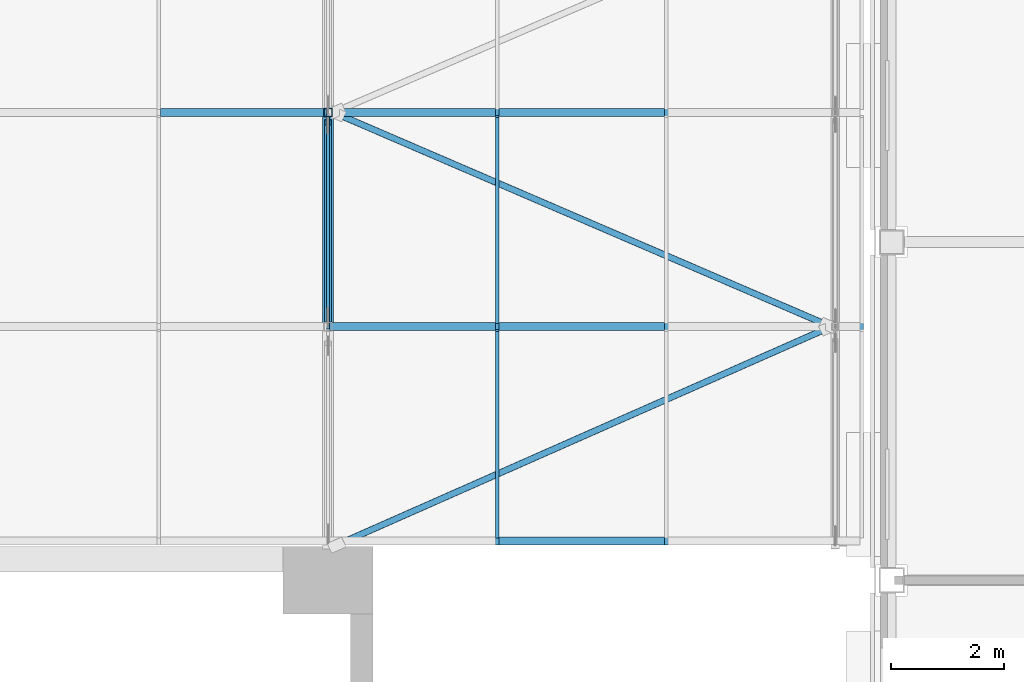
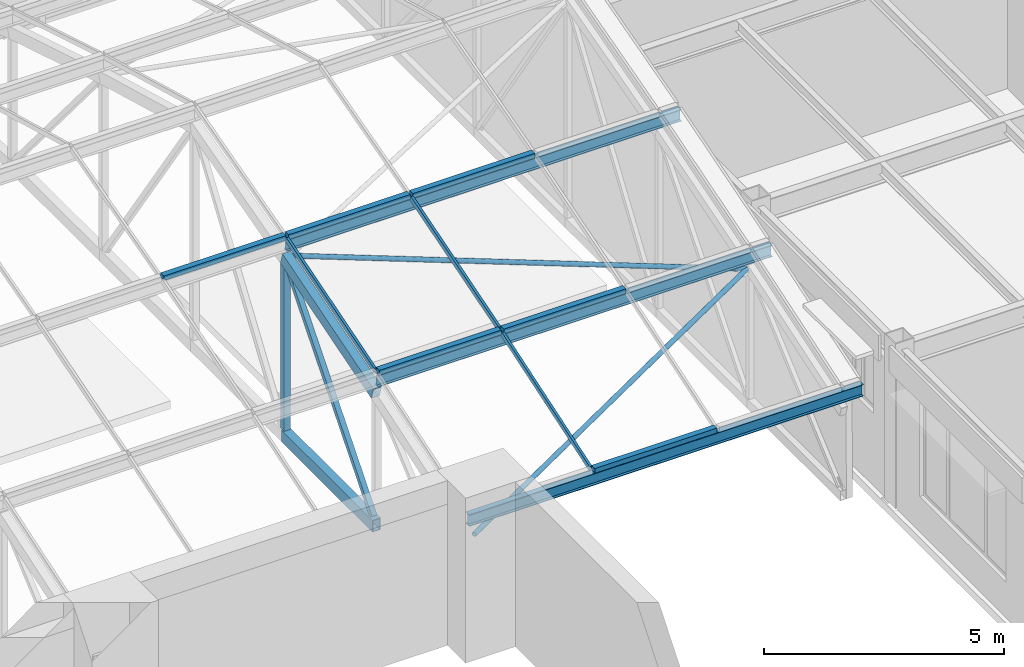
# One storey, part 34 of 82: 18 members, 1 element without a shape of its own.
"""IFC4 building model written with IfcOpenShell, lengths in metres."""

from ifc_helpers import new_model, si_unit, direction, frame, origin, origin_2d, place, context, subcontext, project, spatial, rectangle, hollow_rectangle, hollow_circle, i_section, extrude, material, material_profile, profile_set, type_object, element, aggregate, save


model = new_model("IFC4")

# Units and contexts
model_context = context("Model", 3, precision=1e-05, world=origin(), true_north=direction((0.0, 1.0)))
body_context = subcontext(model_context, "Body", "Model", "MODEL_VIEW")
ifc_project = project(units=[si_unit("LENGTHUNIT", "METRE"), si_unit("AREAUNIT", "SQUARE_METRE"), si_unit("VOLUMEUNIT", "CUBIC_METRE"), si_unit("PLANEANGLEUNIT", "RADIAN"), si_unit("MASSUNIT", "GRAM", prefix="KILO")], contexts=[model_context])

# Site, building, storey
site_placement = place(None, origin())
site = spatial("IfcSite", under=ifc_project, at=site_placement, CompositionType="ELEMENT")
building_placement = place(site_placement, origin())
building = spatial("IfcBuilding", under=site, at=building_placement, Name="Aravalli Gate Trade Fair Centre", CompositionType="ELEMENT")
storey_placement = place(building_placement, frame((0.0, 0.0, 19.199951171875)))
storey = spatial("IfcBuildingStorey", under=building, at=storey_placement, Name="L04", CompositionType="ELEMENT", Elevation=19.199951171875)

# Members
ifc_material_1 = material(Name="Steel E350", Category="steel")
ifc_material_profile_1 = material_profile(ifc_material_1, hollow_circle(Radius=0.05712890625, WallThickness=0.00439453125, at=origin_2d()), Name="CHS 114.3x4.5")
ifc_profile_set_1 = profile_set([ifc_material_profile_1], Name="Steel E350")
member_type_1 = type_object("IfcMemberType", Name="CHS 114.3x4.5 roof plan brace", PredefinedType="BRACE", material=ifc_profile_set_1)
member_1_placement = place(storey_placement, frame((150.10009765625, 109.60009765625, 2.2392578125), z_axis=(0.906362574389, 0.400537686759, 0.134448671366), x_axis=(-0.404207666312, 0.914667241403, 0.0)))
element("IfcMember", 1, at=member_1_placement, inside=storey, type_object=member_type_1, Name="Vault plan brace 18.1", PredefinedType="BRACE", context=body_context, shape_type="SweptSolid", body=[
    extrude(hollow_circle(Radius=0.05712890625, WallThickness=0.00439453125, at=origin_2d()), origin(), (0.0, 0.0, 1.0), 9.736572265625),
])
member_2_placement = place(storey_placement, frame((150.10009765625, 117.300048828125, 4.67333984375), z_axis=(0.912249841445, -0.392817350875, -0.11616693004), x_axis=(0.39549496899, 0.91846814289, 0.0)))
element("IfcMember", 2, at=member_2_placement, inside=storey, type_object=member_type_1, Name="Vault plan brace 18.2", PredefinedType="BRACE", context=body_context, shape_type="SweptSolid", body=[
    extrude(hollow_circle(Radius=0.05712890625, WallThickness=0.00439453125, at=origin_2d()), origin(), (0.0, 0.0, 1.0), 9.673828125),
])
ifc_material_profile_2 = material_profile(ifc_material_1, i_section(OverallWidth=0.139892578125, OverallDepth=0.300048828125, WebThickness=0.0078125, FlangeThickness=0.01318359375, at=origin_2d()), Name="ISMB 300")
ifc_profile_set_2 = profile_set([ifc_material_profile_2], Name="Steel E350")
member_type_2 = type_object("IfcMemberType", Name="ISMB 300 roof purlin", PredefinedType="PURLIN", material=ifc_profile_set_2)
for number, where, z_axis, x_axis, name in (
    (3, (150.0, 109.699951171875, 2.60302734375), (1.0, 0.0, 0.0), (0.0, 1.0, 0.0), "Vault purlin 17-E F0"),
    (4, (150.0, 113.5, 3.851318359375), (1.0, 0.0, 0.0), (0.0, 1.0, 0.0), "Vault purlin 17-E F1"),
    (5, (150.0, 117.300048828125, 4.999267578125), (1.0, 0.0, 0.0), (0.0, 1.0, 0.0), "Vault purlin 17-E F2"),
):
    element("IfcMember", number, at=place(storey_placement, frame(where, z_axis=z_axis, x_axis=x_axis)), inside=storey, type_object=member_type_2, Name=name, PredefinedType="PURLIN", context=body_context, shape_type="SweptSolid", body=[
        extrude(i_section(OverallWidth=0.139892578125, OverallDepth=0.300048828125, WebThickness=0.0078125, FlangeThickness=0.01318359375, at=origin_2d()), origin(), (0.0, 0.0, 1.0), 9.5),
    ])
ifc_material_profile_3 = material_profile(ifc_material_1, hollow_rectangle(XDim=0.199951171875, YDim=0.300048828125, WallThickness=0.011962890625, at=origin_2d()), Name="RHS 300x200x12")
ifc_profile_set_3 = profile_set([ifc_material_profile_3], Name="Steel E350")
member_type_3 = type_object("IfcMemberType", Name="RHS 300x200x12 CT1 truss chord", PredefinedType="CHORD", material=ifc_profile_set_3)
member_3_placement = place(storey_placement, frame((150.0, 113.5, 3.5234375), z_axis=(0.0, 0.957138110877, 0.289631898634), x_axis=(-1.0, 0.0, 0.0)))
element("IfcMember", 6, at=member_3_placement, inside=storey, type_object=member_type_3, Name="Concourse vault truss CT1 line 17 top chord T2", PredefinedType="CHORD", context=body_context, shape_type="SweptSolid", body=[
    extrude(hollow_rectangle(XDim=0.199951171875, YDim=0.300048828125, WallThickness=0.011962890625, at=origin_2d()), origin(), (0.0, 0.0, 1.0), 3.97021484375),
])
member_4_placement = place(storey_placement, frame((150.0, 113.5, 0.150146484375), z_axis=(0.0, 1.0, 0.0), x_axis=(-1.0, 0.0, 0.0)))
element("IfcMember", 7, at=member_4_placement, inside=storey, type_object=member_type_3, Name="Concourse vault truss CT1 line 17 bottom chord B2", PredefinedType="CHORD", context=body_context, shape_type="SweptSolid", body=[
    extrude(hollow_rectangle(XDim=0.199951171875, YDim=0.300048828125, WallThickness=0.011962890625, at=origin_2d()), origin(), (0.0, 0.0, 1.0), 3.800048828125),
])
ifc_material_profile_4 = material_profile(ifc_material_1, hollow_rectangle(XDim=0.125, YDim=0.125, WallThickness=0.006103515625, at=origin_2d()), Name="SHS 125x125x6")
ifc_profile_set_4 = profile_set([ifc_material_profile_4], Name="Steel E350")
member_type_4 = type_object("IfcMemberType", Name="SHS 125x125x6 CT1 truss diagonal", PredefinedType="BRACE", material=ifc_profile_set_4)
member_5_placement = place(storey_placement, frame((150.0, 113.6259765625, 0.300048828125), z_axis=(0.0, 0.643253159982, 0.765653558845), x_axis=(-1.0, 0.0, 0.0)))
element("IfcMember", 8, at=member_5_placement, inside=storey, type_object=member_type_4, Name="Concourse vault truss CT1 line 17 diagonal D2", PredefinedType="BRACE", context=body_context, shape_type="SweptSolid", body=[
    extrude(hollow_rectangle(XDim=0.125, YDim=0.125, WallThickness=0.006103515625, at=origin_2d()), origin(), (0.0, 0.0, 1.0), 5.437255859375),
])
ifc_material_profile_5 = material_profile(ifc_material_1, hollow_rectangle(XDim=0.14990234375, YDim=0.14990234375, WallThickness=0.006103515625, at=origin_2d()), Name="SHS 150x150x6")
ifc_profile_set_5 = profile_set([ifc_material_profile_5], Name="Steel E350")
member_type_5 = type_object("IfcMemberType", Name="SHS 150x150x6 CT1 truss post", PredefinedType="POST", material=ifc_profile_set_5)
member_6_placement = place(storey_placement, frame((150.0, 117.300048828125, 0.300048828125), z_axis=(0.0, 0.0, 1.0), x_axis=(1.0, 0.0, 0.0)))
element("IfcMember", 9, at=member_6_placement, inside=storey, type_object=member_type_5, Name="Concourse vault truss CT1 line 17 post V2", PredefinedType="POST", context=body_context, shape_type="SweptSolid", body=[
    extrude(hollow_rectangle(XDim=0.14990234375, YDim=0.14990234375, WallThickness=0.006103515625, at=origin_2d()), origin(), (0.0, 0.0, 1.0), 4.216552734375),
])
ifc_material_2 = material(Name="Aluminium", Category="aluminium")
ifc_material_profile_6 = material_profile(ifc_material_2, rectangle(XDim=0.139892578125, YDim=0.1201171875, at=origin_2d()), Name="Vault fold cap 140 x 120")
ifc_profile_set_6 = profile_set([ifc_material_profile_6], Name="Aluminium")
member_type_6 = type_object("IfcMemberType", Name="Vault fold cap 140 x 120", PredefinedType="USERDEFINED", material=ifc_profile_set_6)
for number, where, z_axis, x_axis, name in (
    (10, (147.030029296875, 117.300048828125, 5.209228515625), (1.0, 0.0, 0.0), (0.0, 1.0, 0.0), "Vault fold cap e16.2"),
    (11, (150.030029296875, 113.5, 4.061279296875), (1.0, 0.0, 0.0), (0.0, 1.0, 0.0), "Vault fold cap e17.1"),
    (12, (150.030029296875, 117.300048828125, 5.209228515625), (1.0, 0.0, 0.0), (0.0, 1.0, 0.0), "Vault fold cap e17.2"),
    (13, (153.030029296875, 109.699951171875, 2.81298828125), (1.0, 0.0, 0.0), (0.0, 1.0, 0.0), "Vault fold cap e18.0"),
    (14, (153.030029296875, 113.5, 4.061279296875), (1.0, 0.0, 0.0), (0.0, 1.0, 0.0), "Vault fold cap e18.1"),
    (15, (153.030029296875, 117.300048828125, 5.209228515625), (1.0, 0.0, 0.0), (0.0, 1.0, 0.0), "Vault fold cap e18.2"),
):
    element("IfcMember", number, at=place(storey_placement, frame(where, z_axis=z_axis, x_axis=x_axis)), inside=storey, type_object=member_type_6, Name=name, ObjectType="FOLD CAP", PredefinedType="USERDEFINED", context=body_context, shape_type="SweptSolid", body=[
        extrude(rectangle(XDim=0.139892578125, YDim=0.1201171875, at=origin_2d()), origin(), (0.0, 0.0, 1.0), 2.93994140625),
    ])

# Curtain wall, members
ifc_material_3 = material(Name="Aluminium and glass", Category="aluminium")
curtain_wall_type = type_object("IfcCurtainWallType", Name="Vault curtain wall, sloped glazing", PredefinedType="NOTDEFINED", material=ifc_material_3)
curtain_wall_placement = place(storey_placement, origin())
curtain_wall = element("IfcCurtainWall", 16, at=curtain_wall_placement, inside=storey, type_object=curtain_wall_type, Name="Vault curtain wall e", PredefinedType="NOTDEFINED")
ifc_material_profile_7 = material_profile(ifc_material_2, rectangle(XDim=0.06005859375, YDim=0.1201171875, at=origin_2d()), Name="Vault glazing bar 60 x 120")
ifc_profile_set_7 = profile_set([ifc_material_profile_7], Name="Aluminium")
member_type_7 = type_object("IfcMemberType", Name="Vault glazing bar 60 x 120", PredefinedType="USERDEFINED", material=ifc_profile_set_7)
member_7_placement = place(storey_placement, frame((150.0, 113.570068359375, 4.05859375), z_axis=(0.0, 0.957125834694, 0.289672464279), x_axis=(-1.0, 0.0, 0.0)))
member_7 = element("IfcMember", 17, at=member_7_placement, type_object=member_type_7, Name="Vault glazing bar e17.2", ObjectType="GLAZING BAR", PredefinedType="USERDEFINED", context=body_context, shape_type="SweptSolid", body=[
    extrude(rectangle(XDim=0.06005859375, YDim=0.1201171875, at=origin_2d()), origin(), (0.0, 0.0, 1.0), 3.823974609375),
])
member_8_placement = place(storey_placement, frame((153.0, 109.77001953125, 2.81005859375), z_axis=(0.0, 0.949930492103, 0.31246129388), x_axis=(-1.0, 0.0, 0.0)))
member_8 = element("IfcMember", 18, at=member_8_placement, type_object=member_type_7, Name="Vault glazing bar e18.1", ObjectType="GLAZING BAR", PredefinedType="USERDEFINED", context=body_context, shape_type="SweptSolid", body=[
    extrude(rectangle(XDim=0.06005859375, YDim=0.1201171875, at=origin_2d()), origin(), (0.0, 0.0, 1.0), 3.852783203125),
])
member_9_placement = place(storey_placement, frame((153.0, 113.570068359375, 4.05859375), z_axis=(0.0, 0.957125834694, 0.289672464279), x_axis=(-1.0, 0.0, 0.0)))
member_9 = element("IfcMember", 19, at=member_9_placement, type_object=member_type_7, Name="Vault glazing bar e18.2", ObjectType="GLAZING BAR", PredefinedType="USERDEFINED", context=body_context, shape_type="SweptSolid", body=[
    extrude(rectangle(XDim=0.06005859375, YDim=0.1201171875, at=origin_2d()), origin(), (0.0, 0.0, 1.0), 3.823974609375),
])
aggregate(curtain_wall, [member_7, member_8, member_9])

save(model, "model.ifc")
